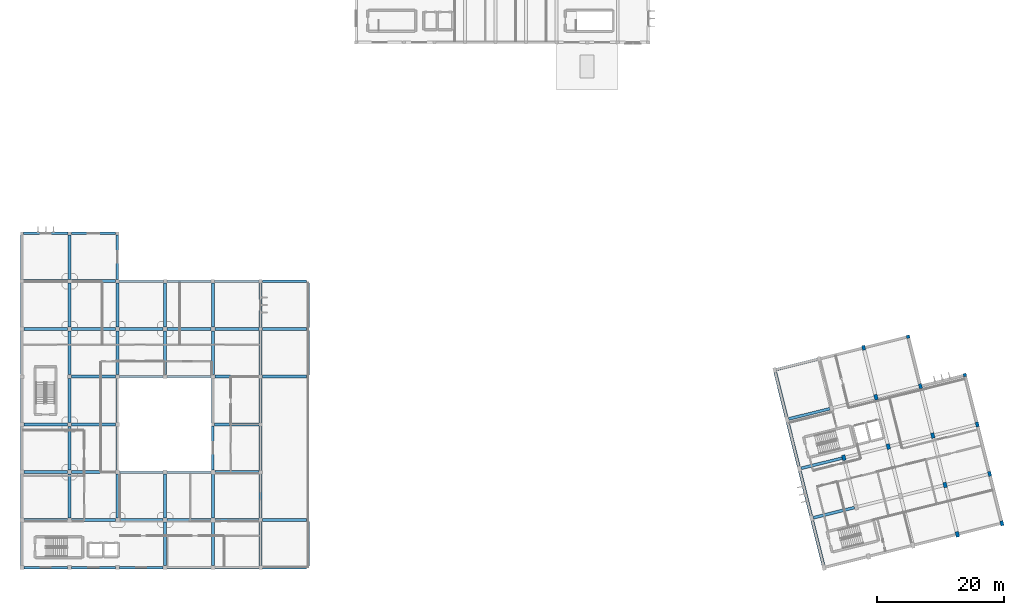
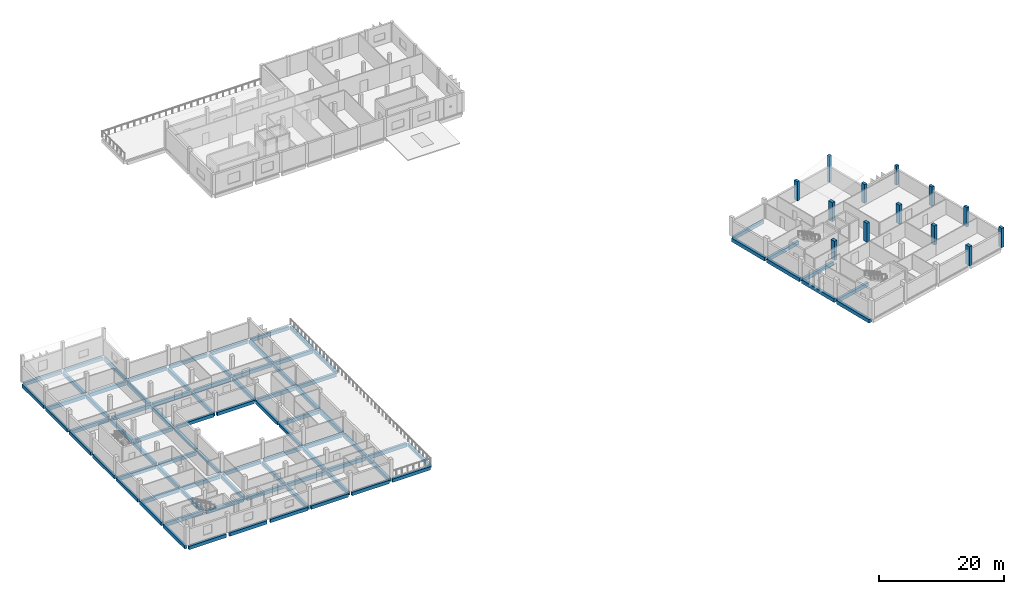
# One storey, part 2 of 21: 85 beams, 13 columns.
"""IFC4 building model written with IfcOpenShell, lengths in metres."""

from ifc_helpers import new_model, si_unit, direction, frame, origin, origin_2d, place, context, subcontext, project, spatial, rectangle, extrude, material, material_profile, profile_set, type_object, element, save


model = new_model("IFC4")

# Units and contexts
model_context = context("Model", 3, precision=1e-05, world=origin(), true_north=direction((0.0, 1.0)))
body_context = subcontext(model_context, "Body", "Model", "MODEL_VIEW")
ifc_project = project(units=[si_unit("LENGTHUNIT", "METRE"), si_unit("AREAUNIT", "SQUARE_METRE"), si_unit("VOLUMEUNIT", "CUBIC_METRE"), si_unit("PLANEANGLEUNIT", "RADIAN"), si_unit("MASSUNIT", "GRAM", prefix="KILO")], contexts=[model_context])

# Site, building, storey
site_placement = place(None, origin())
site = spatial("IfcSite", under=ifc_project, at=site_placement, CompositionType="ELEMENT")
building_placement = place(site_placement, origin())
building = spatial("IfcBuilding", under=site, at=building_placement, Name="Mawjan Specialist Oncology Clinic", CompositionType="ELEMENT")
storey_placement = place(building_placement, frame((0.0, 0.0, 13.5)))
storey = spatial("IfcBuildingStorey", under=building, at=storey_placement, Name="L03", CompositionType="ELEMENT", Elevation=13.5)

# Columns
ifc_material_1 = material(Name="Concrete C45/55", Category="concrete")
ifc_material_profile_1 = material_profile(ifc_material_1, rectangle(XDim=0.5, YDim=0.5, at=origin_2d()), Name="RC COL 500x500", Category="concrete")
ifc_profile_set_1 = profile_set([ifc_material_profile_1], Name="Concrete C45/55")
column_type_1 = type_object("IfcColumnType", Name="C-500", PredefinedType="COLUMN", material=ifc_profile_set_1)
column_1_placement = place(storey_placement, frame((139.216796875, 37.074951171875, 0.0), z_axis=(0.0, 0.0, 1.0), x_axis=(0.970295726276, 0.2419218956, 0.0)))
element("IfcColumn", 1, at=column_1_placement, inside=storey, type_object=column_type_1, Name="L03 Column R-RD-R5", PredefinedType="COLUMN", context=body_context, shape_type="SweptSolid", body=[
    extrude(rectangle(XDim=0.5, YDim=0.5, at=origin_2d()), origin(), (0.0, 0.0, 1.0), 5.115966796875),
])
column_2_placement = place(storey_placement, frame((148.138427734375, 31.054443359375, 0.0), z_axis=(0.0, 0.0, 1.0), x_axis=(0.970295726276, 0.2419218956, 0.0)))
element("IfcColumn", 2, at=column_2_placement, inside=storey, type_object=column_type_1, Name="L03 Column R-RE-R4", PredefinedType="COLUMN", context=body_context, shape_type="SweptSolid", body=[
    extrude(rectangle(XDim=0.5, YDim=0.5, at=origin_2d()), origin(), (0.0, 0.0, 1.0), 3.719970703125),
])
ifc_material_2 = material(Name="Concrete C45/55", Category="concrete")
ifc_material_profile_2 = material_profile(ifc_material_2, rectangle(XDim=0.5, YDim=0.75, at=origin_2d()), Name="RC COL 500x750", Category="concrete")
ifc_profile_set_2 = profile_set([ifc_material_profile_2], Name="Concrete C45/55")
column_type_2 = type_object("IfcColumnType", Name="C-500x750", PredefinedType="COLUMN", material=ifc_profile_set_2)
for number, where, z_axis, x_axis, name in (
    (3, (132.230712890625, 35.333251953125, 0.0), (0.0, 0.0, 1.0), (0.970295726276, 0.2419218956, 0.0), "L03 Column R-RC-R5"),
    (4, (141.15234375, 29.3125, 0.0), (0.0, 0.0, 1.0), (0.970295726276, 0.2419218956, 0.0), "L03 Column R-RD-R4"),
):
    element("IfcColumn", number, at=place(storey_placement, frame(where, z_axis=z_axis, x_axis=x_axis)), inside=storey, type_object=column_type_2, Name=name, PredefinedType="COLUMN", context=body_context, shape_type="SweptSolid", body=[
        extrude(rectangle(XDim=0.5, YDim=0.75, at=origin_2d()), origin(), (0.0, 0.0, 1.0), 3.719970703125),
    ])
for number, where, z_axis, x_axis, name in (
    (5, (153.944580078125, 7.767333984375, 0.0), (0.0, 0.0, 1.0), (0.970295726276, 0.2419218956, 0.0), "L03 Column R-RE-R1"),
    (6, (152.009033203125, 15.52978515625, 0.0), (0.0, 0.0, 1.0), (0.970295726276, 0.2419218956, 0.0), "L03 Column R-RE-R2"),
    (7, (150.07373046875, 23.2919921875, 0.0), (0.0, 0.0, 1.0), (0.970295726276, 0.2419218956, 0.0), "L03 Column R-RE-R3"),
):
    element("IfcColumn", number, at=place(storey_placement, frame(where, z_axis=z_axis, x_axis=x_axis)), inside=storey, type_object=column_type_2, Name=name, PredefinedType="COLUMN", context=body_context, shape_type="SweptSolid", body=[
        extrude(rectangle(XDim=0.5, YDim=0.75, at=origin_2d()), origin(), (0.0, 0.0, 1.0), 3.75),
    ])
ifc_material_3 = material(Name="Concrete C45/55", Category="concrete")
ifc_material_profile_3 = material_profile(ifc_material_3, rectangle(XDim=0.550048828125, YDim=0.85009765625, at=origin_2d()), Name="RC COL 550x850", Category="concrete")
ifc_profile_set_3 = profile_set([ifc_material_profile_3], Name="Concrete C45/55")
column_type_3 = type_object("IfcColumnType", Name="C-550x850", PredefinedType="COLUMN", material=ifc_profile_set_3)
for number, where, z_axis, x_axis, name in (
    (8, (129.115478515625, 18.066650390625, 0.0), (0.0, 0.0, 1.0), (0.970295726276, 0.2419218956, 0.0), "L03 Column R-RB-R3"),
    (9, (136.1015625, 19.808349609375, 0.0), (0.0, 0.0, 1.0), (0.970295726276, 0.2419218956, 0.0), "L03 Column R-RC-R3"),
    (10, (134.166015625, 27.57080078125, 0.0), (0.0, 0.0, 1.0), (0.970295726276, 0.2419218956, 0.0), "L03 Column R-RC-R4"),
    (11, (146.95849609375, 6.025634765625, 0.0), (0.0, 0.0, 1.0), (0.970295726276, 0.2419218956, 0.0), "L03 Column R-RD-R1"),
    (12, (145.02294921875, 13.787841796875, 0.0), (0.0, 0.0, 1.0), (0.970295726276, 0.2419218956, 0.0), "L03 Column R-RD-R2"),
    (13, (143.087646484375, 21.55029296875, 0.0), (0.0, 0.0, 1.0), (0.970295726276, 0.2419218956, 0.0), "L03 Column R-RD-R3"),
):
    element("IfcColumn", number, at=place(storey_placement, frame(where, z_axis=z_axis, x_axis=x_axis)), inside=storey, type_object=column_type_3, Name=name, PredefinedType="COLUMN", context=body_context, shape_type="SweptSolid", body=[
        extrude(rectangle(XDim=0.550048828125, YDim=0.85009765625, at=origin_2d()), origin(), (0.0, 0.0, 1.0), 3.719970703125),
    ])

# Beams
ifc_material_4 = material(Name="Concrete C40/50", Category="concrete")
ifc_material_profile_4 = material_profile(ifc_material_4, rectangle(XDim=0.449951171875, YDim=0.699951171875, at=origin_2d()), Name="RC BM 450x700", Category="concrete")
ifc_profile_set_4 = profile_set([ifc_material_profile_4], Name="Concrete C40/50")
beam_type_1 = type_object("IfcBeamType", Name="BM-450x700", PredefinedType="BEAM", material=ifc_profile_set_4)
for number, where, z_axis, x_axis, name in (
    (14, (0.31005859375, 8.300048828125, -0.64990234375), (1.0, 0.0, 0.0), (0.0, 1.0, 0.0), "L03 Collector Beam BM-L03-0901"),
    (15, (7.81005859375, 8.300048828125, -0.85009765625), (1.0, 0.0, 0.0), (0.0, 1.0, 0.0), "L03 Collector Beam BM-L03-0902"),
    (16, (15.31005859375, 8.300048828125, -0.85009765625), (1.0, 0.0, 0.0), (0.0, 1.0, 0.0), "L03 Collector Beam BM-L03-0903"),
    (17, (22.81005859375, 8.300048828125, -0.85009765625), (1.0, 0.0, 0.0), (0.0, 1.0, 0.0), "L03 Collector Beam BM-L03-0904"),
):
    element("IfcBeam", number, at=place(storey_placement, frame(where, z_axis=z_axis, x_axis=x_axis)), inside=storey, type_object=beam_type_1, Name=name, PredefinedType="BEAM", context=body_context, shape_type="SweptSolid", body=[
        extrude(rectangle(XDim=0.449951171875, YDim=0.699951171875, at=origin_2d()), origin(), (0.0, 0.0, 1.0), 6.8798828125),
    ])
beam_1_placement = place(storey_placement, frame((30.31005859375, 8.300048828125, -0.64990234375), z_axis=(1.0, 0.0, 0.0), x_axis=(0.0, 1.0, 0.0)))
element("IfcBeam", 18, at=beam_1_placement, inside=storey, type_object=beam_type_1, Name="L03 Collector Beam BM-L03-0905", PredefinedType="BEAM", context=body_context, shape_type="SweptSolid", body=[
    extrude(rectangle(XDim=0.449951171875, YDim=0.699951171875, at=origin_2d()), origin(), (0.0, 0.0, 1.0), 6.905029296875),
])
beam_2_placement = place(storey_placement, frame((37.784912109375, 8.300048828125, -0.64990234375), z_axis=(1.0, 0.0, 0.0), x_axis=(0.0, 1.0, 0.0)))
element("IfcBeam", 19, at=beam_2_placement, inside=storey, type_object=beam_type_1, Name="L03 Collector Beam BM-L03-0906", PredefinedType="BEAM", context=body_context, shape_type="SweptSolid", body=[
    extrude(rectangle(XDim=0.449951171875, YDim=0.699951171875, at=origin_2d()), origin(), (0.0, 0.0, 1.0), 6.955078125),
])
for number, where, z_axis, x_axis, name in (
    (20, (0.31005859375, 15.800048828125, -0.85009765625), (1.0, 0.0, 0.0), (0.0, 1.0, 0.0), "L03 Collector Beam BM-L03-0907"),
    (21, (7.81005859375, 15.800048828125, -0.85009765625), (1.0, 0.0, 0.0), (0.0, 1.0, 0.0), "L03 Collector Beam BM-L03-0908"),
):
    element("IfcBeam", number, at=place(storey_placement, frame(where, z_axis=z_axis, x_axis=x_axis)), inside=storey, type_object=beam_type_1, Name=name, PredefinedType="BEAM", context=body_context, shape_type="SweptSolid", body=[
        extrude(rectangle(XDim=0.449951171875, YDim=0.699951171875, at=origin_2d()), origin(), (0.0, 0.0, 1.0), 6.8798828125),
    ])
beam_3_placement = place(storey_placement, frame((30.31005859375, 15.800048828125, -0.64990234375), z_axis=(1.0, 0.0, 0.0), x_axis=(0.0, 1.0, 0.0)))
element("IfcBeam", 22, at=beam_3_placement, inside=storey, type_object=beam_type_1, Name="L03 Collector Beam BM-L03-0911", PredefinedType="BEAM", context=body_context, shape_type="SweptSolid", body=[
    extrude(rectangle(XDim=0.449951171875, YDim=0.699951171875, at=origin_2d()), origin(), (0.0, 0.0, 1.0), 6.905029296875),
])
for number, where, z_axis, x_axis, name in (
    (23, (0.31005859375, 23.300048828125, -0.85009765625), (1.0, 0.0, 0.0), (0.0, 1.0, 0.0), "L03 Collector Beam BM-L03-0912"),
    (24, (7.81005859375, 23.300048828125, -0.85009765625), (1.0, 0.0, 0.0), (0.0, 1.0, 0.0), "L03 Collector Beam BM-L03-0913"),
):
    element("IfcBeam", number, at=place(storey_placement, frame(where, z_axis=z_axis, x_axis=x_axis)), inside=storey, type_object=beam_type_1, Name=name, PredefinedType="BEAM", context=body_context, shape_type="SweptSolid", body=[
        extrude(rectangle(XDim=0.449951171875, YDim=0.699951171875, at=origin_2d()), origin(), (0.0, 0.0, 1.0), 6.8798828125),
    ])
beam_4_placement = place(storey_placement, frame((30.260009765625, 23.300048828125, -0.64990234375), z_axis=(1.0, 0.0, 0.0), x_axis=(0.0, 1.0, 0.0)))
element("IfcBeam", 25, at=beam_4_placement, inside=storey, type_object=beam_type_1, Name="L03 Collector Beam BM-L03-0914", PredefinedType="BEAM", context=body_context, shape_type="SweptSolid", body=[
    extrude(rectangle(XDim=0.449951171875, YDim=0.699951171875, at=origin_2d()), origin(), (0.0, 0.0, 1.0), 6.97998046875),
])
beam_5_placement = place(storey_placement, frame((7.81005859375, 30.800048828125, -0.64990234375), z_axis=(1.0, 0.0, 0.0), x_axis=(0.0, 1.0, 0.0)))
element("IfcBeam", 26, at=beam_5_placement, inside=storey, type_object=beam_type_1, Name="L03 Collector Beam BM-L03-0915", PredefinedType="BEAM", context=body_context, shape_type="SweptSolid", body=[
    extrude(rectangle(XDim=0.449951171875, YDim=0.699951171875, at=origin_2d()), origin(), (0.0, 0.0, 1.0), 6.8798828125),
])
beam_6_placement = place(storey_placement, frame((30.31005859375, 30.800048828125, -0.64990234375), z_axis=(1.0, 0.0, 0.0), x_axis=(0.0, 1.0, 0.0)))
element("IfcBeam", 27, at=beam_6_placement, inside=storey, type_object=beam_type_1, Name="L03 Collector Beam BM-L03-0918", PredefinedType="BEAM", context=body_context, shape_type="SweptSolid", body=[
    extrude(rectangle(XDim=0.449951171875, YDim=0.699951171875, at=origin_2d()), origin(), (0.0, 0.0, 1.0), 6.929931640625),
])
beam_7_placement = place(storey_placement, frame((37.760009765625, 30.800048828125, -0.64990234375), z_axis=(1.0, 0.0, 0.0), x_axis=(0.0, 1.0, 0.0)))
element("IfcBeam", 28, at=beam_7_placement, inside=storey, type_object=beam_type_1, Name="L03 Collector Beam BM-L03-0919", PredefinedType="BEAM", context=body_context, shape_type="SweptSolid", body=[
    extrude(rectangle(XDim=0.449951171875, YDim=0.699951171875, at=origin_2d()), origin(), (0.0, 0.0, 1.0), 6.97998046875),
])
for number, where, z_axis, x_axis, name in (
    (29, (0.31005859375, 38.300048828125, -0.85009765625), (1.0, 0.0, 0.0), (0.0, 1.0, 0.0), "L03 Collector Beam BM-L03-0920"),
    (30, (7.81005859375, 38.300048828125, -0.85009765625), (1.0, 0.0, 0.0), (0.0, 1.0, 0.0), "L03 Collector Beam BM-L03-0921"),
    (31, (15.31005859375, 38.300048828125, -0.85009765625), (1.0, 0.0, 0.0), (0.0, 1.0, 0.0), "L03 Collector Beam BM-L03-0922"),
    (32, (22.81005859375, 38.300048828125, -0.85009765625), (1.0, 0.0, 0.0), (0.0, 1.0, 0.0), "L03 Collector Beam BM-L03-0923"),
):
    element("IfcBeam", number, at=place(storey_placement, frame(where, z_axis=z_axis, x_axis=x_axis)), inside=storey, type_object=beam_type_1, Name=name, PredefinedType="BEAM", context=body_context, shape_type="SweptSolid", body=[
        extrude(rectangle(XDim=0.449951171875, YDim=0.699951171875, at=origin_2d()), origin(), (0.0, 0.0, 1.0), 6.8798828125),
    ])
beam_8_placement = place(storey_placement, frame((30.31005859375, 38.300048828125, -0.64990234375), z_axis=(1.0, 0.0, 0.0), x_axis=(0.0, 1.0, 0.0)))
element("IfcBeam", 33, at=beam_8_placement, inside=storey, type_object=beam_type_1, Name="L03 Collector Beam BM-L03-0924", PredefinedType="BEAM", context=body_context, shape_type="SweptSolid", body=[
    extrude(rectangle(XDim=0.449951171875, YDim=0.699951171875, at=origin_2d()), origin(), (0.0, 0.0, 1.0), 6.929931640625),
])
beam_9_placement = place(storey_placement, frame((37.760009765625, 38.300048828125, -0.64990234375), z_axis=(1.0, 0.0, 0.0), x_axis=(0.0, 1.0, 0.0)))
element("IfcBeam", 34, at=beam_9_placement, inside=storey, type_object=beam_type_1, Name="L03 Collector Beam BM-L03-0925", PredefinedType="BEAM", context=body_context, shape_type="SweptSolid", body=[
    extrude(rectangle(XDim=0.449951171875, YDim=0.699951171875, at=origin_2d()), origin(), (0.0, 0.0, 1.0), 6.97998046875),
])
for number, where, z_axis, x_axis, name in (
    (35, (0.284912109375, 45.800048828125, -0.85009765625), (1.0, 0.0, 0.0), (0.0, 1.0, 0.0), "L03 Collector Beam BM-L03-0926"),
    (36, (7.784912109375, 45.800048828125, -0.85009765625), (1.0, 0.0, 0.0), (0.0, 1.0, 0.0), "L03 Collector Beam BM-L03-0927"),
):
    element("IfcBeam", number, at=place(storey_placement, frame(where, z_axis=z_axis, x_axis=x_axis)), inside=storey, type_object=beam_type_1, Name=name, PredefinedType="BEAM", context=body_context, shape_type="SweptSolid", body=[
        extrude(rectangle(XDim=0.449951171875, YDim=0.699951171875, at=origin_2d()), origin(), (0.0, 0.0, 1.0), 6.93017578125),
    ])
for number, where, z_axis, x_axis, name in (
    (37, (7.5, 8.610107421875, -0.85009765625), (0.0, 1.0, 0.0), (-1.0, 0.0, 0.0), "L03 Collector Beam BM-L03-0979"),
    (38, (7.5, 16.110107421875, -0.85009765625), (0.0, 1.0, 0.0), (-1.0, 0.0, 0.0), "L03 Collector Beam BM-L03-0980"),
    (39, (7.5, 23.610107421875, -0.85009765625), (0.0, 1.0, 0.0), (-1.0, 0.0, 0.0), "L03 Collector Beam BM-L03-0981"),
    (40, (7.5, 31.110107421875, -0.85009765625), (0.0, 1.0, 0.0), (-1.0, 0.0, 0.0), "L03 Collector Beam BM-L03-0982"),
):
    element("IfcBeam", number, at=place(storey_placement, frame(where, z_axis=z_axis, x_axis=x_axis)), inside=storey, type_object=beam_type_1, Name=name, PredefinedType="BEAM", context=body_context, shape_type="SweptSolid", body=[
        extrude(rectangle(XDim=0.449951171875, YDim=0.699951171875, at=origin_2d()), origin(), (0.0, 0.0, 1.0), 6.8798828125),
    ])
beam_10_placement = place(storey_placement, frame((7.5, 38.610107421875, -0.85009765625), z_axis=(0.0, 1.0, 0.0), x_axis=(-1.0, 0.0, 0.0)))
element("IfcBeam", 41, at=beam_10_placement, inside=storey, type_object=beam_type_1, Name="L03 Collector Beam BM-L03-0983", PredefinedType="BEAM", context=body_context, shape_type="SweptSolid", body=[
    extrude(rectangle(XDim=0.449951171875, YDim=0.699951171875, at=origin_2d()), origin(), (0.0, 0.0, 1.0), 6.90478515625),
])
beam_11_placement = place(storey_placement, frame((7.5, 46.0849609375, -0.85009765625), z_axis=(0.0, 1.0, 0.0), x_axis=(-1.0, 0.0, 0.0)))
element("IfcBeam", 42, at=beam_11_placement, inside=storey, type_object=beam_type_1, Name="L03 Collector Beam BM-L03-0984", PredefinedType="BEAM", context=body_context, shape_type="SweptSolid", body=[
    extrude(rectangle(XDim=0.449951171875, YDim=0.699951171875, at=origin_2d()), origin(), (0.0, 0.0, 1.0), 6.955078125),
])
for number, where, z_axis, x_axis, name in (
    (43, (15.0, 8.610107421875, -0.85009765625), (0.0, 1.0, 0.0), (-1.0, 0.0, 0.0), "L03 Collector Beam BM-L03-0985"),
    (44, (15.0, 31.110107421875, -0.85009765625), (0.0, 1.0, 0.0), (-1.0, 0.0, 0.0), "L03 Collector Beam BM-L03-0988"),
):
    element("IfcBeam", number, at=place(storey_placement, frame(where, z_axis=z_axis, x_axis=x_axis)), inside=storey, type_object=beam_type_1, Name=name, PredefinedType="BEAM", context=body_context, shape_type="SweptSolid", body=[
        extrude(rectangle(XDim=0.449951171875, YDim=0.699951171875, at=origin_2d()), origin(), (0.0, 0.0, 1.0), 6.8798828125),
    ])
beam_12_placement = place(storey_placement, frame((15.0, 38.610107421875, -0.85009765625), z_axis=(0.0, 1.0, 0.0), x_axis=(-1.0, 0.0, 0.0)))
element("IfcBeam", 45, at=beam_12_placement, inside=storey, type_object=beam_type_1, Name="L03 Collector Beam BM-L03-0989", PredefinedType="BEAM", context=body_context, shape_type="SweptSolid", body=[
    extrude(rectangle(XDim=0.449951171875, YDim=0.699951171875, at=origin_2d()), origin(), (0.0, 0.0, 1.0), 6.90478515625),
])
for number, where, z_axis, x_axis, name in (
    (46, (22.5, 1.110107421875, -0.85009765625), (0.0, 1.0, 0.0), (-1.0, 0.0, 0.0), "L03 Collector Beam BM-L03-0991"),
    (47, (22.5, 8.610107421875, -0.85009765625), (0.0, 1.0, 0.0), (-1.0, 0.0, 0.0), "L03 Collector Beam BM-L03-0992"),
    (48, (22.5, 31.110107421875, -0.85009765625), (0.0, 1.0, 0.0), (-1.0, 0.0, 0.0), "L03 Collector Beam BM-L03-0993"),
):
    element("IfcBeam", number, at=place(storey_placement, frame(where, z_axis=z_axis, x_axis=x_axis)), inside=storey, type_object=beam_type_1, Name=name, PredefinedType="BEAM", context=body_context, shape_type="SweptSolid", body=[
        extrude(rectangle(XDim=0.449951171875, YDim=0.699951171875, at=origin_2d()), origin(), (0.0, 0.0, 1.0), 6.8798828125),
    ])
beam_13_placement = place(storey_placement, frame((22.5, 38.610107421875, -0.85009765625), z_axis=(0.0, 1.0, 0.0), x_axis=(-1.0, 0.0, 0.0)))
element("IfcBeam", 49, at=beam_13_placement, inside=storey, type_object=beam_type_1, Name="L03 Collector Beam BM-L03-0994", PredefinedType="BEAM", context=body_context, shape_type="SweptSolid", body=[
    extrude(rectangle(XDim=0.449951171875, YDim=0.699951171875, at=origin_2d()), origin(), (0.0, 0.0, 1.0), 6.90478515625),
])
for number, where, z_axis, x_axis, name in (
    (50, (30.0, 1.110107421875, -0.64990234375), (0.0, 1.0, 0.0), (-1.0, 0.0, 0.0), "L03 Collector Beam BM-L03-0995"),
    (51, (30.0, 8.610107421875, -0.64990234375), (0.0, 1.0, 0.0), (-1.0, 0.0, 0.0), "L03 Collector Beam BM-L03-0996"),
    (52, (30.0, 31.110107421875, -0.64990234375), (0.0, 1.0, 0.0), (-1.0, 0.0, 0.0), "L03 Collector Beam BM-L03-0999"),
):
    element("IfcBeam", number, at=place(storey_placement, frame(where, z_axis=z_axis, x_axis=x_axis)), inside=storey, type_object=beam_type_1, Name=name, PredefinedType="BEAM", context=body_context, shape_type="SweptSolid", body=[
        extrude(rectangle(XDim=0.449951171875, YDim=0.699951171875, at=origin_2d()), origin(), (0.0, 0.0, 1.0), 6.8798828125),
    ])
beam_14_placement = place(storey_placement, frame((30.0, 38.610107421875, -0.64990234375), z_axis=(0.0, 1.0, 0.0), x_axis=(-1.0, 0.0, 0.0)))
element("IfcBeam", 53, at=beam_14_placement, inside=storey, type_object=beam_type_1, Name="L03 Collector Beam BM-L03-1000", PredefinedType="BEAM", context=body_context, shape_type="SweptSolid", body=[
    extrude(rectangle(XDim=0.449951171875, YDim=0.699951171875, at=origin_2d()), origin(), (0.0, 0.0, 1.0), 6.90478515625),
])
for number, where, z_axis, x_axis, name in (
    (54, (37.5, 1.0849609375, -0.64990234375), (0.0, 1.0, 0.0), (-1.0, 0.0, 0.0), "L03 Collector Beam BM-L03-1001"),
    (55, (37.5, 8.5849609375, -0.64990234375), (0.0, 1.0, 0.0), (-1.0, 0.0, 0.0), "L03 Collector Beam BM-L03-1002"),
):
    element("IfcBeam", number, at=place(storey_placement, frame(where, z_axis=z_axis, x_axis=x_axis)), inside=storey, type_object=beam_type_1, Name=name, PredefinedType="BEAM", context=body_context, shape_type="SweptSolid", body=[
        extrude(rectangle(XDim=0.449951171875, YDim=0.699951171875, at=origin_2d()), origin(), (0.0, 0.0, 1.0), 6.929931640625),
    ])
beam_15_placement = place(storey_placement, frame((37.5, 16.0849609375, -0.64990234375), z_axis=(0.0, 1.0, 0.0), x_axis=(-1.0, 0.0, 0.0)))
element("IfcBeam", 56, at=beam_15_placement, inside=storey, type_object=beam_type_1, Name="L03 Collector Beam BM-L03-1003", PredefinedType="BEAM", context=body_context, shape_type="SweptSolid", body=[
    extrude(rectangle(XDim=0.449951171875, YDim=0.699951171875, at=origin_2d()), origin(), (0.0, 0.0, 1.0), 6.955078125),
])
for number, where, z_axis, x_axis, name in (
    (57, (37.5, 23.56005859375, -0.64990234375), (0.0, 1.0, 0.0), (-1.0, 0.0, 0.0), "L03 Collector Beam BM-L03-1004"),
    (58, (37.5, 31.06005859375, -0.64990234375), (0.0, 1.0, 0.0), (-1.0, 0.0, 0.0), "L03 Collector Beam BM-L03-1005"),
    (59, (37.5, 38.56005859375, -0.64990234375), (0.0, 1.0, 0.0), (-1.0, 0.0, 0.0), "L03 Collector Beam BM-L03-1006"),
):
    element("IfcBeam", number, at=place(storey_placement, frame(where, z_axis=z_axis, x_axis=x_axis)), inside=storey, type_object=beam_type_1, Name=name, PredefinedType="BEAM", context=body_context, shape_type="SweptSolid", body=[
        extrude(rectangle(XDim=0.449951171875, YDim=0.699951171875, at=origin_2d()), origin(), (0.0, 0.0, 1.0), 6.97998046875),
    ])
beam_16_placement = place(storey_placement, frame((124.31689453125, 8.625244140625, -0.64990234375), z_axis=(0.970299236251, 0.241907817422, 0.0), x_axis=(-0.241907817422, 0.970299236251, 0.0)))
element("IfcBeam", 60, at=beam_16_placement, inside=storey, type_object=beam_type_1, Name="L03 Collector Beam BM-L03-1042", PredefinedType="BEAM", context=body_context, shape_type="SweptSolid", body=[
    extrude(rectangle(XDim=0.449951171875, YDim=0.699951171875, at=origin_2d()), origin(), (0.0, 0.0, 1.0), 6.68017578125),
])
beam_17_placement = place(storey_placement, frame((122.381591796875, 16.3876953125, -0.64990234375), z_axis=(0.970297097401, 0.241916396252, 0.0), x_axis=(-0.241916396252, 0.970297097401, 0.0)))
element("IfcBeam", 61, at=beam_17_placement, inside=storey, type_object=beam_type_1, Name="L03 Collector Beam BM-L03-1046", PredefinedType="BEAM", context=body_context, shape_type="SweptSolid", body=[
    extrude(rectangle(XDim=0.449951171875, YDim=0.699951171875, at=origin_2d()), origin(), (0.0, 0.0, 1.0), 6.679931640625),
])
beam_18_placement = place(storey_placement, frame((120.446044921875, 24.14990234375, -0.64990234375), z_axis=(0.970290657182, 0.241942225716, 0.0), x_axis=(-0.241942225716, 0.970290657182, 0.0)))
element("IfcBeam", 62, at=beam_18_placement, inside=storey, type_object=beam_type_1, Name="L03 Collector Beam BM-L03-1050", PredefinedType="BEAM", context=body_context, shape_type="SweptSolid", body=[
    extrude(rectangle(XDim=0.449951171875, YDim=0.699951171875, at=origin_2d()), origin(), (0.0, 0.0, 1.0), 6.68017578125),
])
ifc_material_5 = material(Name="Concrete C45/55", Category="concrete")
ifc_material_profile_5 = material_profile(ifc_material_5, rectangle(XDim=0.39990234375, YDim=0.64990234375, at=origin_2d()), Name="RC BM 400x650", Category="concrete")
ifc_profile_set_5 = profile_set([ifc_material_profile_5], Name="Concrete C45/55")
beam_type_2 = type_object("IfcBeamType", Name="SP-400x650", PredefinedType="SPANDREL", material=ifc_profile_set_5)
for number, where, z_axis, x_axis, name in (
    (63, (0.31005859375, 0.800048828125, -0.625), (1.0, 0.0, 0.0), (0.0, 1.0, 0.0), "L03 Spandrel Beam BM-L03-0895"),
    (64, (7.81005859375, 0.800048828125, -0.625), (1.0, 0.0, 0.0), (0.0, 1.0, 0.0), "L03 Spandrel Beam BM-L03-0896"),
    (65, (15.31005859375, 0.800048828125, -0.625), (1.0, 0.0, 0.0), (0.0, 1.0, 0.0), "L03 Spandrel Beam BM-L03-0897"),
    (66, (22.81005859375, 0.800048828125, -0.625), (1.0, 0.0, 0.0), (0.0, 1.0, 0.0), "L03 Spandrel Beam BM-L03-0898"),
):
    element("IfcBeam", number, at=place(storey_placement, frame(where, z_axis=z_axis, x_axis=x_axis)), inside=storey, type_object=beam_type_2, Name=name, PredefinedType="SPANDREL", context=body_context, shape_type="SweptSolid", body=[
        extrude(rectangle(XDim=0.39990234375, YDim=0.64990234375, at=origin_2d()), origin(), (0.0, 0.0, 1.0), 6.8798828125),
    ])
beam_19_placement = place(storey_placement, frame((30.31005859375, 0.800048828125, -0.625), z_axis=(1.0, 0.0, 0.0), x_axis=(0.0, 1.0, 0.0)))
element("IfcBeam", 67, at=beam_19_placement, inside=storey, type_object=beam_type_2, Name="L03 Spandrel Beam BM-L03-0899", PredefinedType="SPANDREL", context=body_context, shape_type="SweptSolid", body=[
    extrude(rectangle(XDim=0.39990234375, YDim=0.64990234375, at=origin_2d()), origin(), (0.0, 0.0, 1.0), 6.905029296875),
])
beam_20_placement = place(storey_placement, frame((37.784912109375, 0.800048828125, -0.625), z_axis=(1.0, 0.0, 0.0), x_axis=(0.0, 1.0, 0.0)))
element("IfcBeam", 68, at=beam_20_placement, inside=storey, type_object=beam_type_2, Name="L03 Spandrel Beam BM-L03-0900", PredefinedType="SPANDREL", context=body_context, shape_type="SweptSolid", body=[
    extrude(rectangle(XDim=0.39990234375, YDim=0.64990234375, at=origin_2d()), origin(), (0.0, 0.0, 1.0), 6.955078125),
])
for number, where, z_axis, x_axis, name in (
    (69, (15.31005859375, 15.800048828125, -0.625), (1.0, 0.0, 0.0), (0.0, 1.0, 0.0), "L03 Spandrel Beam BM-L03-0909"),
    (70, (22.81005859375, 15.800048828125, -0.625), (1.0, 0.0, 0.0), (0.0, 1.0, 0.0), "L03 Spandrel Beam BM-L03-0910"),
    (71, (15.31005859375, 30.800048828125, -0.625), (1.0, 0.0, 0.0), (0.0, 1.0, 0.0), "L03 Spandrel Beam BM-L03-0916"),
    (72, (22.81005859375, 30.800048828125, -0.625), (1.0, 0.0, 0.0), (0.0, 1.0, 0.0), "L03 Spandrel Beam BM-L03-0917"),
):
    element("IfcBeam", number, at=place(storey_placement, frame(where, z_axis=z_axis, x_axis=x_axis)), inside=storey, type_object=beam_type_2, Name=name, PredefinedType="SPANDREL", context=body_context, shape_type="SweptSolid", body=[
        extrude(rectangle(XDim=0.39990234375, YDim=0.64990234375, at=origin_2d()), origin(), (0.0, 0.0, 1.0), 6.8798828125),
    ])
for number, where, z_axis, x_axis, name in (
    (73, (15.284912109375, 45.800048828125, -0.625), (1.0, 0.0, 0.0), (0.0, 1.0, 0.0), "L03 Spandrel Beam BM-L03-0928"),
    (74, (22.784912109375, 45.800048828125, -0.625), (1.0, 0.0, 0.0), (0.0, 1.0, 0.0), "L03 Spandrel Beam BM-L03-0929"),
):
    element("IfcBeam", number, at=place(storey_placement, frame(where, z_axis=z_axis, x_axis=x_axis)), inside=storey, type_object=beam_type_2, Name=name, PredefinedType="SPANDREL", context=body_context, shape_type="SweptSolid", body=[
        extrude(rectangle(XDim=0.39990234375, YDim=0.64990234375, at=origin_2d()), origin(), (0.0, 0.0, 1.0), 6.93017578125),
    ])
beam_21_placement = place(storey_placement, frame((30.284912109375, 45.800048828125, -0.625), z_axis=(1.0, 0.0, 0.0), x_axis=(0.0, 1.0, 0.0)))
element("IfcBeam", 75, at=beam_21_placement, inside=storey, type_object=beam_type_2, Name="L03 Spandrel Beam BM-L03-0930", PredefinedType="SPANDREL", context=body_context, shape_type="SweptSolid", body=[
    extrude(rectangle(XDim=0.39990234375, YDim=0.64990234375, at=origin_2d()), origin(), (0.0, 0.0, 1.0), 6.955078125),
])
for number, where, z_axis, x_axis, name in (
    (76, (37.760009765625, 45.800048828125, -0.625), (1.0, 0.0, 0.0), (0.0, 1.0, 0.0), "L03 Spandrel Beam BM-L03-0931"),
    (77, (0.260009765625, 53.300048828125, -0.625), (1.0, 0.0, 0.0), (0.0, 1.0, 0.0), "L03 Spandrel Beam BM-L03-0932"),
    (78, (7.760009765625, 53.300048828125, -0.625), (1.0, 0.0, 0.0), (0.0, 1.0, 0.0), "L03 Spandrel Beam BM-L03-0933"),
):
    element("IfcBeam", number, at=place(storey_placement, frame(where, z_axis=z_axis, x_axis=x_axis)), inside=storey, type_object=beam_type_2, Name=name, PredefinedType="SPANDREL", context=body_context, shape_type="SweptSolid", body=[
        extrude(rectangle(XDim=0.39990234375, YDim=0.64990234375, at=origin_2d()), origin(), (0.0, 0.0, 1.0), 6.97998046875),
    ])
for number, where, z_axis, x_axis, name in (
    (79, (0.0, 1.110107421875, -0.625), (0.0, 1.0, 0.0), (-1.0, 0.0, 0.0), "L03 Spandrel Beam BM-L03-0972"),
    (80, (0.0, 8.610107421875, -0.625), (0.0, 1.0, 0.0), (-1.0, 0.0, 0.0), "L03 Spandrel Beam BM-L03-0973"),
    (81, (0.0, 16.110107421875, -0.625), (0.0, 1.0, 0.0), (-1.0, 0.0, 0.0), "L03 Spandrel Beam BM-L03-0974"),
    (82, (0.0, 23.610107421875, -0.625), (0.0, 1.0, 0.0), (-1.0, 0.0, 0.0), "L03 Spandrel Beam BM-L03-0975"),
    (83, (0.0, 31.110107421875, -0.625), (0.0, 1.0, 0.0), (-1.0, 0.0, 0.0), "L03 Spandrel Beam BM-L03-0976"),
):
    element("IfcBeam", number, at=place(storey_placement, frame(where, z_axis=z_axis, x_axis=x_axis)), inside=storey, type_object=beam_type_2, Name=name, PredefinedType="SPANDREL", context=body_context, shape_type="SweptSolid", body=[
        extrude(rectangle(XDim=0.39990234375, YDim=0.64990234375, at=origin_2d()), origin(), (0.0, 0.0, 1.0), 6.8798828125),
    ])
beam_22_placement = place(storey_placement, frame((0.0, 38.610107421875, -0.625), z_axis=(0.0, 1.0, 0.0), x_axis=(-1.0, 0.0, 0.0)))
element("IfcBeam", 84, at=beam_22_placement, inside=storey, type_object=beam_type_2, Name="L03 Spandrel Beam BM-L03-0977", PredefinedType="SPANDREL", context=body_context, shape_type="SweptSolid", body=[
    extrude(rectangle(XDim=0.39990234375, YDim=0.64990234375, at=origin_2d()), origin(), (0.0, 0.0, 1.0), 6.90478515625),
])
beam_23_placement = place(storey_placement, frame((0.0, 46.0849609375, -0.625), z_axis=(0.0, 1.0, 0.0), x_axis=(-1.0, 0.0, 0.0)))
element("IfcBeam", 85, at=beam_23_placement, inside=storey, type_object=beam_type_2, Name="L03 Spandrel Beam BM-L03-0978", PredefinedType="SPANDREL", context=body_context, shape_type="SweptSolid", body=[
    extrude(rectangle(XDim=0.39990234375, YDim=0.64990234375, at=origin_2d()), origin(), (0.0, 0.0, 1.0), 6.955078125),
])
for number, where, z_axis, x_axis, name in (
    (86, (15.0, 16.110107421875, -0.625), (0.0, 1.0, 0.0), (-1.0, 0.0, 0.0), "L03 Spandrel Beam BM-L03-0986"),
    (87, (15.0, 23.610107421875, -0.625), (0.0, 1.0, 0.0), (-1.0, 0.0, 0.0), "L03 Spandrel Beam BM-L03-0987"),
):
    element("IfcBeam", number, at=place(storey_placement, frame(where, z_axis=z_axis, x_axis=x_axis)), inside=storey, type_object=beam_type_2, Name=name, PredefinedType="SPANDREL", context=body_context, shape_type="SweptSolid", body=[
        extrude(rectangle(XDim=0.39990234375, YDim=0.64990234375, at=origin_2d()), origin(), (0.0, 0.0, 1.0), 6.8798828125),
    ])
beam_24_placement = place(storey_placement, frame((15.0, 46.0849609375, -0.625), z_axis=(0.0, 1.0, 0.0), x_axis=(-1.0, 0.0, 0.0)))
element("IfcBeam", 88, at=beam_24_placement, inside=storey, type_object=beam_type_2, Name="L03 Spandrel Beam BM-L03-0990", PredefinedType="SPANDREL", context=body_context, shape_type="SweptSolid", body=[
    extrude(rectangle(XDim=0.39990234375, YDim=0.64990234375, at=origin_2d()), origin(), (0.0, 0.0, 1.0), 6.955078125),
])
for number, where, z_axis, x_axis, name in (
    (89, (30.0, 16.110107421875, -0.625), (0.0, 1.0, 0.0), (-1.0, 0.0, 0.0), "L03 Spandrel Beam BM-L03-0997"),
    (90, (30.0, 23.56005859375, -0.625), (0.0, 1.0, 0.0), (-1.0, 0.0, 0.0), "L03 Spandrel Beam BM-L03-0998"),
):
    element("IfcBeam", number, at=place(storey_placement, frame(where, z_axis=z_axis, x_axis=x_axis)), inside=storey, type_object=beam_type_2, Name=name, PredefinedType="SPANDREL", context=body_context, shape_type="SweptSolid", body=[
        extrude(rectangle(XDim=0.39990234375, YDim=0.64990234375, at=origin_2d()), origin(), (0.0, 0.0, 1.0), 6.929931640625),
    ])
for number, where, z_axis, x_axis, name in (
    (91, (45.0, 1.06005859375, -0.574951171875), (0.0, 1.0, 0.0), (-1.0, 0.0, 0.0), "L03 Spandrel Beam BM-L03-1007"),
    (92, (45.0, 31.06005859375, -0.574951171875), (0.0, 1.0, 0.0), (-1.0, 0.0, 0.0), "L03 Spandrel Beam BM-L03-1008"),
    (93, (45.0, 38.56005859375, -0.574951171875), (0.0, 1.0, 0.0), (-1.0, 0.0, 0.0), "L03 Spandrel Beam BM-L03-1009"),
):
    element("IfcBeam", number, at=place(storey_placement, frame(where, z_axis=z_axis, x_axis=x_axis)), inside=storey, type_object=beam_type_2, Name=name, PredefinedType="SPANDREL", context=body_context, shape_type="SweptSolid", body=[
        extrude(rectangle(XDim=0.39990234375, YDim=0.64990234375, at=origin_2d()), origin(), (0.0, 0.0, 1.0), 6.97998046875),
    ])
beam_25_placement = place(storey_placement, frame((118.486572265625, 31.90625, -0.625), z_axis=(0.970293819569, 0.241929542854, 0.0), x_axis=(-0.241929542854, 0.970293819569, 0.0)))
element("IfcBeam", 94, at=beam_25_placement, inside=storey, type_object=beam_type_2, Name="L03 Spandrel Beam BM-L03-1054", PredefinedType="SPANDREL", context=body_context, shape_type="SweptSolid", body=[
    extrude(rectangle(XDim=0.39990234375, YDim=0.64990234375, at=origin_2d()), origin(), (0.0, 0.0, 1.0), 6.72998046875),
])
ifc_material_6 = material(Name="Concrete C45/55", Category="concrete")
ifc_material_profile_6 = material_profile(ifc_material_6, rectangle(XDim=0.5, YDim=0.699951171875, at=origin_2d()), Name="RC BM 500x700", Category="concrete")
ifc_profile_set_6 = profile_set([ifc_material_profile_6], Name="Concrete C45/55")
beam_type_3 = type_object("IfcBeamType", Name="SP-500x700", PredefinedType="SPANDREL", material=ifc_profile_set_6)
for number, where, z_axis, x_axis, name in (
    (95, (125.93701171875, 1.05224609375, -0.64990234375), (-0.241921192876, 0.970295901485, 0.0), (-0.970295901485, -0.241921192876, 0.0), "L03 Spandrel Beam BM-L03-1057"),
    (96, (124.001708984375, 8.814697265625, -0.64990234375), (-0.241921192876, 0.970295901485, 0.0), (-0.970295901485, -0.241921192876, 0.0), "L03 Spandrel Beam BM-L03-1058"),
    (97, (122.06640625, 16.576904296875, -0.64990234375), (-0.241921192876, 0.970295901485, 0.0), (-0.970295901485, -0.241921192876, 0.0), "L03 Spandrel Beam BM-L03-1059"),
):
    element("IfcBeam", number, at=place(storey_placement, frame(where, z_axis=z_axis, x_axis=x_axis)), inside=storey, type_object=beam_type_3, Name=name, PredefinedType="SPANDREL", context=body_context, shape_type="SweptSolid", body=[
        extrude(rectangle(XDim=0.5, YDim=0.699951171875, at=origin_2d()), origin(), (0.0, 0.0, 1.0), 7.47998046875),
    ])
beam_26_placement = place(storey_placement, frame((120.130859375, 24.33935546875, -0.64990234375), z_axis=(-0.241900262403, 0.970301119782, 0.0), x_axis=(-0.970301119782, -0.241900262403, 0.0)))
element("IfcBeam", 98, at=beam_26_placement, inside=storey, type_object=beam_type_3, Name="L03 Spandrel Beam BM-L03-1060", PredefinedType="SPANDREL", context=body_context, shape_type="SweptSolid", body=[
    extrude(rectangle(XDim=0.5, YDim=0.699951171875, at=origin_2d()), origin(), (0.0, 0.0, 1.0), 7.5048828125),
])

save(model, "model.ifc")
